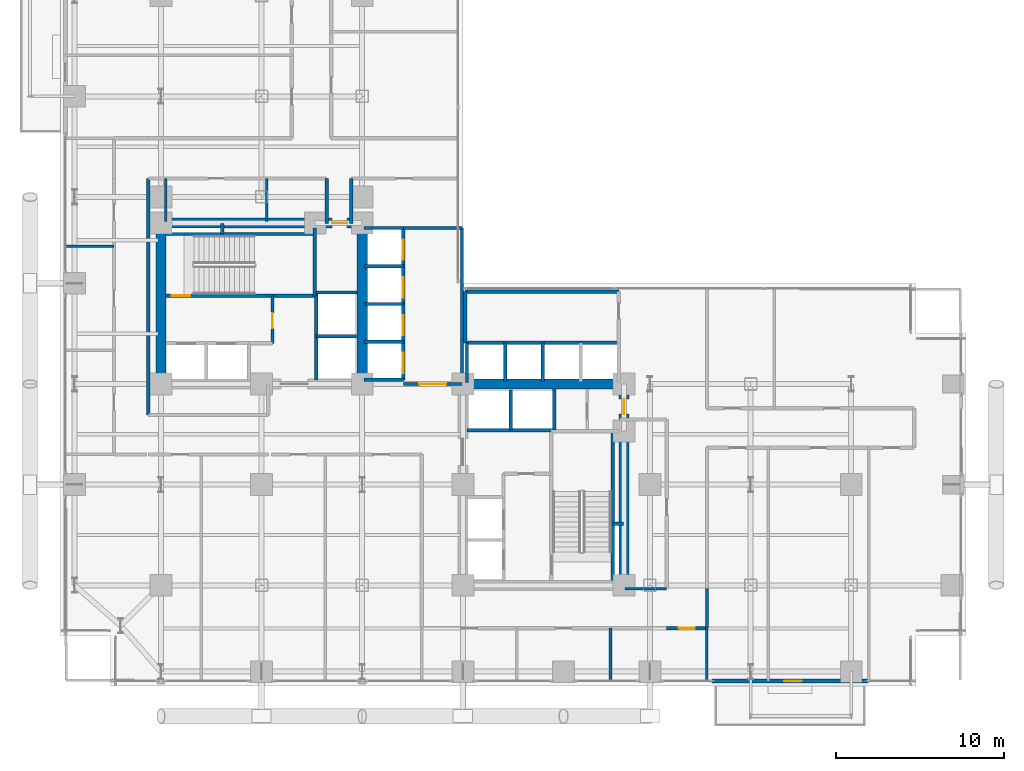
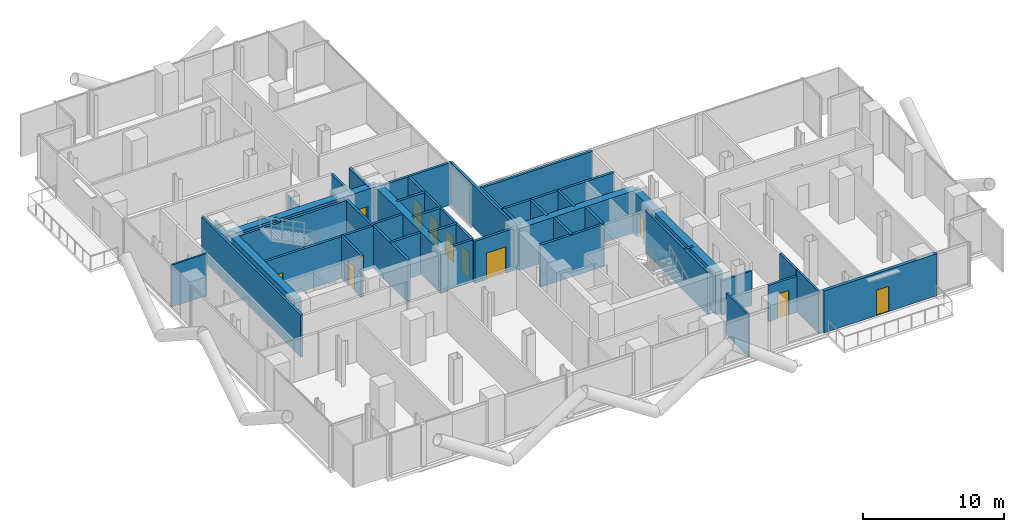
# One storey, part 22 of 27: 45 walls, 11 doors, 11 openings.
"""IFC4 building model written with IfcOpenShell, lengths in metres."""

from ifc_helpers import new_model, si_unit, direction, frame, frame_2d, origin, place, context, subcontext, project, spatial, rectangle, extrude, material, layer, layer_set, type_object, element, fill, save


model = new_model("IFC4")

# Units and contexts
model_context = context("Model", 3, precision=1e-05, world=origin(), true_north=direction((0.0, 1.0)))
body_context = subcontext(model_context, "Body", "Model", "MODEL_VIEW")
ifc_project = project(units=[si_unit("LENGTHUNIT", "METRE"), si_unit("AREAUNIT", "SQUARE_METRE"), si_unit("VOLUMEUNIT", "CUBIC_METRE"), si_unit("PLANEANGLEUNIT", "RADIAN"), si_unit("MASSUNIT", "GRAM", prefix="KILO"), si_unit("THERMODYNAMICTEMPERATUREUNIT", "KELVIN"), si_unit("POWERUNIT", "WATT")], contexts=[model_context])

# Site, building, storey
site_placement = place(None, origin())
site = spatial("IfcSite", under=ifc_project, at=site_placement, CompositionType="ELEMENT")
building_placement = place(site_placement, origin())
building = spatial("IfcBuilding", under=site, at=building_placement, Name="Svarakhadi Broadcast Tower", CompositionType="ELEMENT")
storey_placement = place(building_placement, frame((0.0, 0.0, 59.699951171875)))
storey = spatial("IfcBuildingStorey", under=building, at=storey_placement, Name="L13", CompositionType="ELEMENT", Elevation=59.699951171875)

# Wall, opening, door
ifc_material_1 = material(Name="Concrete C40/50 (IS 456 M50)", Category="concrete")
ifc_layer_1 = layer(ifc_material_1, 0.239990234375)
ifc_layer_set_1 = layer_set([ifc_layer_1], Name="Concrete C40/50 (IS 456 M50)")
wall_type_1 = type_object("IfcWallType", Name="Wall_Ext_240", PredefinedType="SOLIDWALL", material=ifc_layer_set_1)
wall_1_placement = place(storey_placement, frame((48.14501953125, 0.300048828125, 0.0), z_axis=(0.0, 0.0, 1.0), x_axis=(-1.0, 0.0, 0.0)))
wall_1 = element("IfcWall", 1, at=wall_1_placement, inside=storey, type_object=wall_type_1, Name="L13 South Tree Balcony Spandrel Wall", PredefinedType="SOLIDWALL", context=body_context, shape_type="SweptSolid", body=[
    extrude(rectangle(XDim=9.2900390625, YDim=0.239990234375, at=frame_2d((4.64501953125, 0.0))), origin(), (0.0, 0.0, 1.0), 3.650146484375),
])
opening_1_placement = place(wall_1_placement, frame((3.945068359375, 0.0, 0.0)))
opening_1 = element("IfcOpeningElement", 2, at=opening_1_placement, cuts=wall_1, Name="Opening ED-05", PredefinedType="OPENING", context=body_context, shape_type="SweptSolid", body=[
    extrude(rectangle(XDim=1.050048828125, YDim=2.199951171875, at=frame_2d((0.52490234375, 1.10009765625))), frame((0.0, 0.1298828125, 0.0), z_axis=(0.0, -1.0, 0.0), x_axis=(1.0, 0.0, 0.0)), (0.0, 0.0, 1.0), 0.260009765625),
])
ifc_material_2 = material(Name="Anodised Bronze Aluminium AA 6063-T6", Category="aluminium")
door_type_1 = type_object("IfcDoorType", Name="Door_Ext_ED05", OperationType="SINGLE_SWING_LEFT", PredefinedType="DOOR", material=ifc_material_2)
door_1_placement = place(opening_1_placement, origin())
door_1 = element("IfcDoor", 3, at=door_1_placement, inside=storey, type_object=door_type_1, Name="L13 South Tree Balcony Door", OperationType="SINGLE_SWING_LEFT", OverallHeight=2.199951171875, OverallWidth=1.050048828125, PredefinedType="DOOR", context=body_context, shape_type="SweptSolid", body=[
    extrude(rectangle(XDim=1.050048828125, YDim=2.199951171875, at=frame_2d((0.52490234375, 1.10009765625))), frame((0.0, 0.02490234375, 0.0), z_axis=(0.0, -1.0, 0.0), x_axis=(1.0, 0.0, 0.0)), (0.0, 0.0, 1.0), 0.050048828125),
])
fill(opening_1, door_1)

# Walls
ifc_layer_2 = layer(ifc_material_1, 0.199951171875)
ifc_layer_set_2 = layer_set([ifc_layer_2], Name="Concrete C40/50 (IS 456 M50)")
wall_type_2 = type_object("IfcWallType", Name="Wall_Fire_200", PredefinedType="SOLIDWALL", material=ifc_layer_set_2)
for number, where, z_axis, x_axis, name in (
    (4, (9.659912109375, 26.93994140625, 0.0), (0.0, 0.0, 1.0), (0.0, 1.0, 0.0), "L13 Wet Riser Shaft East Wall"),
    (5, (32.93994140625, 9.659912109375, 0.0), (0.0, 0.0, 1.0), (1.0, 0.0, 0.0), "L13 HV Busduct Riser Shaft North Wall"),
):
    element("IfcWall", number, at=place(storey_placement, frame(where, z_axis=z_axis, x_axis=x_axis)), inside=storey, type_object=wall_type_2, Name=name, PredefinedType="SOLIDWALL", context=body_context, shape_type="SweptSolid", body=[
        extrude(rectangle(XDim=0.64013671875, YDim=0.199951171875, at=frame_2d((0.320068359375, 0.0))), origin(), (0.0, 0.0, 1.0), 3.650146484375),
    ])
wall_2_placement = place(storey_placement, frame((38.550048828125, 5.800048828125, 0.0), z_axis=(0.0, 0.0, 1.0), x_axis=(0.0, -1.0, 0.0)))
element("IfcWall", 6, at=wall_2_placement, inside=storey, type_object=wall_type_2, Name="L13 Broadcast Corridor Wall", PredefinedType="SOLIDWALL", context=body_context, shape_type="SweptSolid", body=[
    extrude(rectangle(XDim=2.35009765625, YDim=0.199951171875, at=frame_2d((1.175048828125, 0.0))), origin(), (0.0, 0.0, 1.0), 3.650146484375),
])

# Wall, opening, door
wall_3_placement = place(storey_placement, frame((38.550048828125, 3.449951171875, 0.0), z_axis=(0.0, 0.0, 1.0), x_axis=(-1.0, 0.0, 0.0)))
wall_3 = element("IfcWall", 7, at=wall_3_placement, inside=storey, type_object=wall_type_2, Name="L13 Broadcast Corridor Wall", PredefinedType="SOLIDWALL", context=body_context, shape_type="SweptSolid", body=[
    extrude(rectangle(XDim=2.400146484375, YDim=0.199951171875, at=frame_2d((1.2001953125, 0.0))), origin(), (0.0, 0.0, 1.0), 3.14208984375),
])
opening_2_placement = place(wall_3_placement, frame((0.72509765625, 0.0, 0.0)))
opening_2 = element("IfcOpeningElement", 8, at=opening_2_placement, cuts=wall_3, Name="Opening D-07", PredefinedType="OPENING", context=body_context, shape_type="SweptSolid", body=[
    extrude(rectangle(XDim=0.949951171875, YDim=2.14990234375, at=frame_2d((0.47509765625, 1.074951171875))), frame((0.0, 0.10986328125, 0.0), z_axis=(0.0, -1.0, 0.0), x_axis=(1.0, 0.0, 0.0)), (0.0, 0.0, 1.0), 0.219970703125),
])
ifc_material_3 = material(Name="Solid-Core Teak Veneer Acoustic Timber Leaf", Category="wood")
door_type_2 = type_object("IfcDoorType", Name="Door_Office_D07", OperationType="SINGLE_SWING_RIGHT", PredefinedType="DOOR", material=ifc_material_3)
door_2_placement = place(opening_2_placement, origin())
door_2 = element("IfcDoor", 9, at=door_2_placement, inside=storey, type_object=door_type_2, Name="L13 Broadcast Staff Refreshment Pantry Door", OperationType="SINGLE_SWING_RIGHT", OverallHeight=2.14990234375, OverallWidth=0.949951171875, PredefinedType="DOOR", context=body_context, shape_type="SweptSolid", body=[
    extrude(rectangle(XDim=0.949951171875, YDim=2.14990234375, at=frame_2d((0.47509765625, 1.074951171875))), frame((0.0, 0.02490234375, 0.0), z_axis=(0.0, -1.0, 0.0), x_axis=(1.0, 0.0, 0.0)), (0.0, 0.0, 1.0), 0.050048828125),
])
fill(opening_2, door_2)

# Walls
for number, where, z_axis, x_axis, name in (
    (10, (17.35009765625, 30.25, 0.0), (0.0, 0.0, 1.0), (0.0, -1.0, 0.0), "L13 Broadcast Corridor Wall"),
    (11, (15.8798828125, 27.580078125, 0.0), (0.0, 0.0, 1.0), (0.0, 1.0, 0.0), "L13 Broadcast Corridor Wall"),
):
    element("IfcWall", number, at=place(storey_placement, frame(where, z_axis=z_axis, x_axis=x_axis)), inside=storey, type_object=wall_type_2, Name=name, PredefinedType="SOLIDWALL", context=body_context, shape_type="SweptSolid", body=[
        extrude(rectangle(XDim=2.669921875, YDim=0.199951171875, at=frame_2d((1.3349609375, 0.0))), origin(), (0.0, 0.0, 1.0), 3.650146484375),
    ])
wall_4_placement = place(storey_placement, frame((5.25, 30.25, 0.0), z_axis=(0.0, 0.0, 1.0), x_axis=(0.0, -1.0, 0.0)))
element("IfcWall", 12, at=wall_4_placement, inside=storey, type_object=wall_type_2, Name="L13 Broadcast Corridor Wall", PredefinedType="SOLIDWALL", context=body_context, shape_type="SweptSolid", body=[
    extrude(rectangle(XDim=14.10009765625, YDim=0.199951171875, at=frame_2d((7.050048828125, 0.0))), origin(), (0.0, 0.0, 1.0), 3.650146484375),
])
ifc_material_4 = material(Name="Autoclaved Aerated Concrete Blockwork 150 mm", Category="masonry")
ifc_layer_3 = layer(ifc_material_4, 0.14990234375)
ifc_layer_set_3 = layer_set([ifc_layer_3], Name="Autoclaved Aerated Concrete Blockwork 150 mm")
wall_type_3 = type_object("IfcWallType", Name="Wall_Part_150", PredefinedType="PARTITIONING", material=ifc_layer_set_3)
for number, where, z_axis, x_axis, name in (
    (13, (6.300048828125, 27.679931640625, 0.0), (0.0, 0.0, 1.0), (0.0, 1.0, 0.0), "L13 Accessible Toilet WC Wall"),
    (14, (12.300048828125, 27.679931640625, 0.0), (0.0, 0.0, 1.0), (0.0, 1.0, 0.0), "L13 Accessible Toilet WC Wall"),
):
    element("IfcWall", number, at=place(storey_placement, frame(where, z_axis=z_axis, x_axis=x_axis)), inside=storey, type_object=wall_type_3, Name=name, PredefinedType="PARTITIONING", context=body_context, shape_type="SweptSolid", body=[
        extrude(rectangle(XDim=2.570068359375, YDim=0.14990234375, at=frame_2d((1.28515625, 0.0))), origin(), (0.0, 0.0, 1.0), 2.991943359375),
    ])
wall_5_placement = place(storey_placement, frame((0.300048828125, 26.199951171875, 0.0), z_axis=(0.0, 0.0, 1.0), x_axis=(1.0, 0.0, 0.0)))
element("IfcWall", 15, at=wall_5_placement, inside=storey, type_object=wall_type_3, Name="L13 Live Translation Studio Wall", PredefinedType="PARTITIONING", context=body_context, shape_type="SweptSolid", body=[
    extrude(rectangle(XDim=2.89990234375, YDim=0.14990234375, at=frame_2d((1.449951171875, 0.0))), origin(), (0.0, 0.0, 1.0), 3.650146484375),
])
for number, where, z_axis, x_axis, name in (
    (16, (32.800048828125, 0.300048828125, 0.0), (0.0, 0.0, 1.0), (0.0, 1.0, 0.0), "L13 Media Legal Review Office Wall"),
    (17, (38.550048828125, 0.300048828125, 0.0), (0.0, 0.0, 1.0), (0.0, 1.0, 0.0), "L13 Broadcast Staff Refreshment Pantry Wall"),
):
    element("IfcWall", number, at=place(storey_placement, frame(where, z_axis=z_axis, x_axis=x_axis)), inside=storey, type_object=wall_type_3, Name=name, PredefinedType="PARTITIONING", context=body_context, shape_type="SweptSolid", body=[
        extrude(rectangle(XDim=3.14990234375, YDim=0.14990234375, at=frame_2d((1.574951171875, 0.0))), origin(), (0.0, 0.0, 1.0), 3.650146484375),
    ])
wall_6_placement = place(storey_placement, frame((33.64990234375, 5.800048828125, 0.0), z_axis=(0.0, 0.0, 1.0), x_axis=(1.0, 0.0, 0.0)))
element("IfcWall", 18, at=wall_6_placement, inside=storey, type_object=wall_type_3, Name="L13 Live Feed Monitoring Studio Wall", PredefinedType="PARTITIONING", context=body_context, shape_type="SweptSolid", body=[
    extrude(rectangle(XDim=2.5, YDim=0.14990234375, at=frame_2d((1.25, 0.0))), origin(), (0.0, 0.0, 1.0), 2.991943359375),
])

# Wall, opening, door
ifc_material_5 = material(Name="Concrete C50/60 (IS 456 M60)", Category="concrete")
ifc_layer_4 = layer(ifc_material_5, 0.199951171875)
ifc_layer_set_4 = layer_set([ifc_layer_4], Name="Concrete C50/60 (IS 456 M60)")
wall_type_4 = type_object("IfcWallType", Name="Wall_Shear_200", PredefinedType="SHEAR", material=ifc_layer_set_4)
wall_7_placement = place(storey_placement, frame((6.300048828125, 23.260009765625, 0.0), z_axis=(0.0, 0.0, 1.0), x_axis=(1.0, 0.0, 0.0)))
wall_7 = element("IfcWall", 19, at=wall_7_placement, inside=storey, type_object=wall_type_4, Name="L13 Stair ST-01 South RC Shaft Wall", PredefinedType="SHEAR", context=body_context, shape_type="SweptSolid", body=[
    extrude(rectangle(XDim=8.8798828125, YDim=0.199951171875, at=frame_2d((4.43994140625, 0.0))), origin(), (0.0, 0.0, 1.0), 3.650146484375),
])
opening_3_placement = place(wall_7_placement, frame((0.35009765625, 0.0, 0.0)))
opening_3 = element("IfcOpeningElement", 20, at=opening_3_placement, cuts=wall_7, Name="Opening D-01", PredefinedType="OPENING", context=body_context, shape_type="SweptSolid", body=[
    extrude(rectangle(XDim=1.10009765625, YDim=2.199951171875, at=frame_2d((0.550048828125, 1.10009765625))), frame((0.0, 0.10986328125, 0.0), z_axis=(0.0, -1.0, 0.0), x_axis=(1.0, 0.0, 0.0)), (0.0, 0.0, 1.0), 0.219970703125),
])
ifc_material_6 = material(Name="Galvanised Powder-Coated Fire-Rated Steel Leaf", Category="steel")
door_type_3 = type_object("IfcDoorType", Name="Door_Stair_D01", OperationType="SINGLE_SWING_LEFT", PredefinedType="DOOR", material=ifc_material_6)
door_3_placement = place(opening_3_placement, origin())
door_3 = element("IfcDoor", 21, at=door_3_placement, inside=storey, type_object=door_type_3, Name="L13 Protected Exit Stair ST-01 Fire Door", OperationType="SINGLE_SWING_LEFT", OverallHeight=2.199951171875, OverallWidth=1.10009765625, PredefinedType="DOOR", context=body_context, shape_type="SweptSolid", body=[
    extrude(rectangle(XDim=1.10009765625, YDim=2.199951171875, at=frame_2d((0.550048828125, 1.10009765625))), frame((0.0, 0.02490234375, 0.0), z_axis=(0.0, -1.0, 0.0), x_axis=(1.0, 0.0, 0.0)), (0.0, 0.0, 1.0), 0.050048828125),
])
fill(opening_3, door_3)

# Walls
wall_8_placement = place(storey_placement, frame((6.300048828125, 26.93994140625, 0.0), z_axis=(0.0, 0.0, 1.0), x_axis=(1.0, 0.0, 0.0)))
element("IfcWall", 22, at=wall_8_placement, inside=storey, type_object=wall_type_4, Name="L13 Stair ST-01 North RC Shaft Wall", PredefinedType="SHEAR", context=body_context, shape_type="SweptSolid", body=[
    extrude(rectangle(XDim=8.8798828125, YDim=0.199951171875, at=frame_2d((4.43994140625, 0.0))), origin(), (0.0, 0.0, 1.0), 3.650146484375),
])
wall_9_placement = place(storey_placement, frame((15.179931640625, 23.260009765625, 0.0), z_axis=(0.0, 0.0, 1.0), x_axis=(0.0, 1.0, 0.0)))
element("IfcWall", 23, at=wall_9_placement, inside=storey, type_object=wall_type_4, Name="L13 Stair ST-01 East RC Shaft Wall", PredefinedType="SHEAR", context=body_context, shape_type="SweptSolid", body=[
    extrude(rectangle(XDim=4.0400390625, YDim=0.199951171875, at=frame_2d((2.02001953125, 0.0))), origin(), (0.0, 0.0, 1.0), 3.650146484375),
])
wall_10_placement = place(storey_placement, frame((32.93994140625, 6.300048828125, 0.0), z_axis=(0.0, 0.0, 1.0), x_axis=(0.0, 1.0, 0.0)))
element("IfcWall", 24, at=wall_10_placement, inside=storey, type_object=wall_type_4, Name="L13 Stair ST-02 East RC Shaft Wall", PredefinedType="SHEAR", context=body_context, shape_type="SweptSolid", body=[
    extrude(rectangle(XDim=8.8798828125, YDim=0.199951171875, at=frame_2d((4.43994140625, 0.0))), origin(), (0.0, 0.0, 1.0), 3.650146484375),
])

# Wall, opening, door
wall_11_placement = place(storey_placement, frame((12.64990234375, 20.419921875, 0.0), z_axis=(0.0, 0.0, 1.0), x_axis=(0.0, 1.0, 0.0)))
wall_11 = element("IfcWall", 25, at=wall_11_placement, inside=storey, type_object=wall_type_4, Name="L13 West Firefighting Lobby East Wall", PredefinedType="SHEAR", context=body_context, shape_type="SweptSolid", body=[
    extrude(rectangle(XDim=2.840087890625, YDim=0.199951171875, at=frame_2d((1.419921875, 0.0))), origin(), (0.0, 0.0, 1.0), 3.650146484375),
])
opening_4_placement = place(wall_11_placement, frame((0.89990234375, 0.0, 0.0)))
opening_4 = element("IfcOpeningElement", 26, at=opening_4_placement, cuts=wall_11, Name="Opening D-03", PredefinedType="OPENING", context=body_context, shape_type="SweptSolid", body=[
    extrude(rectangle(XDim=0.89990234375, YDim=2.14990234375, at=frame_2d((0.449951171875, 1.074951171875))), frame((0.0, 0.10986328125, 0.0), z_axis=(0.0, -1.0, 0.0), x_axis=(1.0, 0.0, 0.0)), (0.0, 0.0, 1.0), 0.219970703125),
])
door_type_4 = type_object("IfcDoorType", Name="Door_Fire_D03", OperationType="SINGLE_SWING_LEFT", PredefinedType="DOOR", material=ifc_material_6)
door_4_placement = place(opening_4_placement, origin())
door_4 = element("IfcDoor", 27, at=door_4_placement, inside=storey, type_object=door_type_4, Name="L13 West Firefighting Lobby Fire Door", OperationType="SINGLE_SWING_LEFT", OverallHeight=2.14990234375, OverallWidth=0.89990234375, PredefinedType="DOOR", context=body_context, shape_type="SweptSolid", body=[
    extrude(rectangle(XDim=0.89990234375, YDim=2.14990234375, at=frame_2d((0.449951171875, 1.074951171875))), frame((0.0, 0.02490234375, 0.0), z_axis=(0.0, -1.0, 0.0), x_axis=(1.0, 0.0, 0.0)), (0.0, 0.0, 1.0), 0.050048828125),
])
fill(opening_4, door_4)

# Walls
wall_12_placement = place(storey_placement, frame((15.25, 18.25, 0.0), z_axis=(0.0, 0.0, 1.0), x_axis=(0.0, 1.0, 0.0)))
element("IfcWall", 28, at=wall_12_placement, inside=storey, type_object=wall_type_4, Name="L13 High-Rise Lift LF-13/14 West Shaft Wall", PredefinedType="SHEAR", context=body_context, shape_type="SweptSolid", body=[
    extrude(rectangle(XDim=5.199951171875, YDim=0.199951171875, at=frame_2d((2.60009765625, 0.0))), origin(), (0.0, 0.0, 1.0), 3.650146484375),
])
wall_13_placement = place(storey_placement, frame((15.25, 20.85009765625, 0.0), z_axis=(0.0, 0.0, 1.0), x_axis=(1.0, 0.0, 0.0)))
element("IfcWall", 29, at=wall_13_placement, inside=storey, type_object=wall_type_4, Name="L13 High-Rise Lift LF-13/14 Divider", PredefinedType="SHEAR", context=body_context, shape_type="SweptSolid", body=[
    extrude(rectangle(XDim=2.39990234375, YDim=0.199951171875, at=frame_2d((1.199951171875, 0.0))), origin(), (0.0, 0.0, 1.0), 3.650146484375),
])
wall_14_placement = place(storey_placement, frame((15.25, 23.449951171875, 0.0), z_axis=(0.0, 0.0, 1.0), x_axis=(1.0, 0.0, 0.0)))
element("IfcWall", 30, at=wall_14_placement, inside=storey, type_object=wall_type_4, Name="L13 High-Rise Lift LF-13/14 North Wall", PredefinedType="SHEAR", context=body_context, shape_type="SweptSolid", body=[
    extrude(rectangle(XDim=2.449951171875, YDim=0.199951171875, at=frame_2d((1.22509765625, 0.0))), origin(), (0.0, 0.0, 1.0), 3.650146484375),
])
wall_15_placement = place(storey_placement, frame((24.25, 15.25, 0.0), z_axis=(0.0, 0.0, 1.0), x_axis=(1.0, 0.0, 0.0)))
element("IfcWall", 31, at=wall_15_placement, inside=storey, type_object=wall_type_4, Name="L13 High-Rise Lift LF-15/16 South Shaft Wall", PredefinedType="SHEAR", context=body_context, shape_type="SweptSolid", body=[
    extrude(rectangle(XDim=5.199951171875, YDim=0.199951171875, at=frame_2d((2.60009765625, 0.0))), origin(), (0.0, 0.0, 1.0), 3.650146484375),
])
wall_16_placement = place(storey_placement, frame((26.85009765625, 15.25, 0.0), z_axis=(0.0, 0.0, 1.0), x_axis=(0.0, 1.0, 0.0)))
element("IfcWall", 32, at=wall_16_placement, inside=storey, type_object=wall_type_4, Name="L13 High-Rise Lift LF-15/16 Divider", PredefinedType="SHEAR", context=body_context, shape_type="SweptSolid", body=[
    extrude(rectangle(XDim=2.39990234375, YDim=0.199951171875, at=frame_2d((1.199951171875, 0.0))), origin(), (0.0, 0.0, 1.0), 3.650146484375),
])
wall_17_placement = place(storey_placement, frame((29.449951171875, 15.25, 0.0), z_axis=(0.0, 0.0, 1.0), x_axis=(0.0, 1.0, 0.0)))
element("IfcWall", 33, at=wall_17_placement, inside=storey, type_object=wall_type_4, Name="L13 High-Rise Lift LF-15/16 East Wall", PredefinedType="SHEAR", context=body_context, shape_type="SweptSolid", body=[
    extrude(rectangle(XDim=2.449951171875, YDim=0.199951171875, at=frame_2d((1.22509765625, 0.0))), origin(), (0.0, 0.0, 1.0), 3.650146484375),
])
for number, where, z_axis, x_axis, name in (
    (34, (18.10009765625, 27.300048828125, 0.0), (0.0, 0.0, 1.0), (1.0, 0.0, 0.0), "L13 Bank A North Shaft Wall"),
    (35, (18.10009765625, 18.25, 0.0), (0.0, 0.0, 1.0), (1.0, 0.0, 0.0), "L13 Bank A South Shaft Wall"),
):
    element("IfcWall", number, at=place(storey_placement, frame(where, z_axis=z_axis, x_axis=x_axis)), inside=storey, type_object=wall_type_4, Name=name, PredefinedType="SHEAR", context=body_context, shape_type="SweptSolid", body=[
        extrude(rectangle(XDim=2.349853515625, YDim=0.199951171875, at=frame_2d((1.1748046875, 0.0))), origin(), (0.0, 0.0, 1.0), 3.650146484375),
    ])

# Wall, openings, doors
wall_18_placement = place(storey_placement, frame((20.449951171875, 18.25, 0.0), z_axis=(0.0, 0.0, 1.0), x_axis=(0.0, 1.0, 0.0)))
wall_18 = element("IfcWall", 36, at=wall_18_placement, inside=storey, type_object=wall_type_4, Name="L13 Bank A East Landing Wall", PredefinedType="SHEAR", context=body_context, shape_type="SweptSolid", body=[
    extrude(rectangle(XDim=9.050048828125, YDim=0.199951171875, at=frame_2d((4.52490234375, 0.0))), origin(), (0.0, 0.0, 1.0), 3.650146484375),
])
opening_5_placement = place(wall_18_placement, frame((0.39990234375, 0.0, 0.0)))
opening_5 = element("IfcOpeningElement", 37, at=opening_5_placement, cuts=wall_18, Name="Opening LD-02", PredefinedType="OPENING", context=body_context, shape_type="SweptSolid", body=[
    extrude(rectangle(XDim=1.199951171875, YDim=2.199951171875, at=frame_2d((0.60009765625, 1.10009765625))), frame((0.0, 0.10986328125, 0.0), z_axis=(0.0, -1.0, 0.0), x_axis=(1.0, 0.0, 0.0)), (0.0, 0.0, 1.0), 0.219970703125),
])
opening_6_placement = place(wall_18_placement, frame((2.64990234375, 0.0, 0.0)))
opening_6 = element("IfcOpeningElement", 38, at=opening_6_placement, cuts=wall_18, Name="Opening LD-02", PredefinedType="OPENING", context=body_context, shape_type="SweptSolid", body=[
    extrude(rectangle(XDim=1.199951171875, YDim=2.199951171875, at=frame_2d((0.60009765625, 1.10009765625))), frame((0.0, 0.10986328125, 0.0), z_axis=(0.0, -1.0, 0.0), x_axis=(1.0, 0.0, 0.0)), (0.0, 0.0, 1.0), 0.219970703125),
])
opening_7_placement = place(wall_18_placement, frame((4.89990234375, 0.0, 0.0)))
opening_7 = element("IfcOpeningElement", 39, at=opening_7_placement, cuts=wall_18, Name="Opening LD-02", PredefinedType="OPENING", context=body_context, shape_type="SweptSolid", body=[
    extrude(rectangle(XDim=1.199951171875, YDim=2.199951171875, at=frame_2d((0.60009765625, 1.10009765625))), frame((0.0, 0.10986328125, 0.0), z_axis=(0.0, -1.0, 0.0), x_axis=(1.0, 0.0, 0.0)), (0.0, 0.0, 1.0), 0.219970703125),
])
opening_8_placement = place(wall_18_placement, frame((7.14990234375, 0.0, 0.0)))
opening_8 = element("IfcOpeningElement", 40, at=opening_8_placement, cuts=wall_18, Name="Opening LD-02", PredefinedType="OPENING", context=body_context, shape_type="SweptSolid", body=[
    extrude(rectangle(XDim=1.199951171875, YDim=2.199951171875, at=frame_2d((0.60009765625, 1.10009765625))), frame((0.0, 0.10986328125, 0.0), z_axis=(0.0, -1.0, 0.0), x_axis=(1.0, 0.0, 0.0)), (0.0, 0.0, 1.0), 0.219970703125),
])
door_type_5 = type_object("IfcDoorType", Name="Door_Lift_LD02", OperationType="SLIDING_TO_RIGHT", PredefinedType="DOOR", material=ifc_material_6)
door_5_placement = place(opening_5_placement, origin())
door_5 = element("IfcDoor", 41, at=door_5_placement, inside=storey, type_object=door_type_5, Name="L13 Low-Rise Lift LF-05 Landing Door", OperationType="SLIDING_TO_RIGHT", OverallHeight=2.199951171875, OverallWidth=1.199951171875, PredefinedType="DOOR", context=body_context, shape_type="SweptSolid", body=[
    extrude(rectangle(XDim=1.199951171875, YDim=2.199951171875, at=frame_2d((0.60009765625, 1.10009765625))), frame((0.0, 0.02490234375, 0.0), z_axis=(0.0, -1.0, 0.0), x_axis=(1.0, 0.0, 0.0)), (0.0, 0.0, 1.0), 0.050048828125),
])
fill(opening_5, door_5)
door_6_placement = place(opening_6_placement, origin())
door_6 = element("IfcDoor", 42, at=door_6_placement, inside=storey, type_object=door_type_5, Name="L13 Low-Rise Lift LF-06 Landing Door", OperationType="SLIDING_TO_RIGHT", OverallHeight=2.199951171875, OverallWidth=1.199951171875, PredefinedType="DOOR", context=body_context, shape_type="SweptSolid", body=[
    extrude(rectangle(XDim=1.199951171875, YDim=2.199951171875, at=frame_2d((0.60009765625, 1.10009765625))), frame((0.0, 0.02490234375, 0.0), z_axis=(0.0, -1.0, 0.0), x_axis=(1.0, 0.0, 0.0)), (0.0, 0.0, 1.0), 0.050048828125),
])
fill(opening_6, door_6)
door_7_placement = place(opening_7_placement, origin())
door_7 = element("IfcDoor", 43, at=door_7_placement, inside=storey, type_object=door_type_5, Name="L13 Low-Rise Lift LF-07 Landing Door", OperationType="SLIDING_TO_RIGHT", OverallHeight=2.199951171875, OverallWidth=1.199951171875, PredefinedType="DOOR", context=body_context, shape_type="SweptSolid", body=[
    extrude(rectangle(XDim=1.199951171875, YDim=2.199951171875, at=frame_2d((0.60009765625, 1.10009765625))), frame((0.0, 0.02490234375, 0.0), z_axis=(0.0, -1.0, 0.0), x_axis=(1.0, 0.0, 0.0)), (0.0, 0.0, 1.0), 0.050048828125),
])
fill(opening_7, door_7)
door_8_placement = place(opening_8_placement, origin())
door_8 = element("IfcDoor", 44, at=door_8_placement, inside=storey, type_object=door_type_5, Name="L13 Low-Rise Lift LF-08 Landing Door", OperationType="SLIDING_TO_RIGHT", OverallHeight=2.199951171875, OverallWidth=1.199951171875, PredefinedType="DOOR", context=body_context, shape_type="SweptSolid", body=[
    extrude(rectangle(XDim=1.199951171875, YDim=2.199951171875, at=frame_2d((0.60009765625, 1.10009765625))), frame((0.0, 0.02490234375, 0.0), z_axis=(0.0, -1.0, 0.0), x_axis=(1.0, 0.0, 0.0)), (0.0, 0.0, 1.0), 0.050048828125),
])
fill(opening_8, door_8)

# Walls
for number, where, z_axis, x_axis, name in (
    (45, (18.14990234375, 20.52001953125, 0.0), (0.0, 0.0, 1.0), (1.0, 0.0, 0.0), "L13 Bank A Divider"),
    (46, (18.14990234375, 22.77001953125, 0.0), (0.0, 0.0, 1.0), (1.0, 0.0, 0.0), "L13 Bank A Divider"),
    (47, (18.14990234375, 25.02001953125, 0.0), (0.0, 0.0, 1.0), (1.0, 0.0, 0.0), "L13 Bank A Divider"),
):
    element("IfcWall", number, at=place(storey_placement, frame(where, z_axis=z_axis, x_axis=x_axis)), inside=storey, type_object=wall_type_4, Name=name, PredefinedType="SHEAR", context=body_context, shape_type="SweptSolid", body=[
        extrude(rectangle(XDim=2.300048828125, YDim=0.199951171875, at=frame_2d((1.14990234375, 0.0))), origin(), (0.0, 0.0, 1.0), 3.650146484375),
    ])

# Wall, opening, door
wall_19_placement = place(storey_placement, frame((20.449951171875, 18.0, 0.0), z_axis=(0.0, 0.0, 1.0), x_axis=(1.0, 0.0, 0.0)))
wall_19 = element("IfcWall", 48, at=wall_19_placement, inside=storey, type_object=wall_type_4, Name="L13 Bank A Lift Hall South Wall", PredefinedType="SHEAR", context=body_context, shape_type="SweptSolid", body=[
    extrude(rectangle(XDim=3.5, YDim=0.199951171875, at=frame_2d((1.75, 0.0))), origin(), (0.0, 0.0, 1.0), 3.650146484375),
])
opening_9_placement = place(wall_19_placement, frame((0.949951171875, 0.0, 0.0)))
opening_9 = element("IfcOpeningElement", 49, at=opening_9_placement, cuts=wall_19, Name="Opening D-05", PredefinedType="OPENING", context=body_context, shape_type="SweptSolid", body=[
    extrude(rectangle(XDim=1.60009765625, YDim=2.300048828125, at=frame_2d((0.800048828125, 1.14990234375))), frame((0.0, 0.10986328125, 0.0), z_axis=(0.0, -1.0, 0.0), x_axis=(1.0, 0.0, 0.0)), (0.0, 0.0, 1.0), 0.219970703125),
])
door_type_6 = type_object("IfcDoorType", Name="Door_Lobby_D05", OperationType="DOUBLE_DOOR_SLIDING", PredefinedType="DOOR", material=ifc_material_2)
door_9_placement = place(opening_9_placement, origin())
door_9 = element("IfcDoor", 50, at=door_9_placement, inside=storey, type_object=door_type_6, Name="L13 Low-Rise Lift Hall Corridor Door", OperationType="DOUBLE_DOOR_SLIDING", OverallHeight=2.300048828125, OverallWidth=1.60009765625, PredefinedType="DOOR", context=body_context, shape_type="SweptSolid", body=[
    extrude(rectangle(XDim=1.60009765625, YDim=2.300048828125, at=frame_2d((0.800048828125, 1.14990234375))), frame((0.0, 0.02490234375, 0.0), z_axis=(0.0, -1.0, 0.0), x_axis=(1.0, 0.0, 0.0)), (0.0, 0.0, 1.0), 0.050048828125),
])
fill(opening_9, door_9)

# Walls
wall_20_placement = place(storey_placement, frame((20.449951171875, 27.300048828125, 0.0), z_axis=(0.0, 0.0, 1.0), x_axis=(1.0, 0.0, 0.0)))
element("IfcWall", 51, at=wall_20_placement, inside=storey, type_object=wall_type_4, Name="L13 Bank A Lift Hall North Wall", PredefinedType="SHEAR", context=body_context, shape_type="SweptSolid", body=[
    extrude(rectangle(XDim=3.5, YDim=0.199951171875, at=frame_2d((1.75, 0.0))), origin(), (0.0, 0.0, 1.0), 3.650146484375),
])
wall_21_placement = place(storey_placement, frame((23.949951171875, 18.0, 0.0), z_axis=(0.0, 0.0, 1.0), x_axis=(0.0, 1.0, 0.0)))
element("IfcWall", 52, at=wall_21_placement, inside=storey, type_object=wall_type_4, Name="L13 Bank A Lift Hall East Wall", PredefinedType="SHEAR", context=body_context, shape_type="SweptSolid", body=[
    extrude(rectangle(XDim=9.300048828125, YDim=0.199951171875, at=frame_2d((4.64990234375, 0.0))), origin(), (0.0, 0.0, 1.0), 3.650146484375),
])
wall_22_placement = place(storey_placement, frame((24.25, 18.10009765625, 0.0), z_axis=(0.0, 0.0, 1.0), x_axis=(0.0, 1.0, 0.0)))
element("IfcWall", 53, at=wall_22_placement, inside=storey, type_object=wall_type_4, Name="L13 Bank B West Shaft Wall", PredefinedType="SHEAR", context=body_context, shape_type="SweptSolid", body=[
    extrude(rectangle(XDim=2.349853515625, YDim=0.199951171875, at=frame_2d((1.1748046875, 0.0))), origin(), (0.0, 0.0, 1.0), 3.650146484375),
])
wall_23_placement = place(storey_placement, frame((24.25, 20.449951171875, 0.0), z_axis=(0.0, 0.0, 1.0), x_axis=(1.0, 0.0, 0.0)))
element("IfcWall", 54, at=wall_23_placement, inside=storey, type_object=wall_type_4, Name="L13 Bank B North Landing Wall", PredefinedType="SHEAR", context=body_context, shape_type="SweptSolid", body=[
    extrude(rectangle(XDim=9.050048828125, YDim=0.199951171875, at=frame_2d((4.52490234375, 0.0))), origin(), (0.0, 0.0, 1.0), 3.650146484375),
])
for number, where, z_axis, x_axis, name in (
    (55, (26.52001953125, 18.14990234375, 0.0), (0.0, 0.0, 1.0), (0.0, 1.0, 0.0), "L13 Bank B Divider"),
    (56, (28.77001953125, 18.14990234375, 0.0), (0.0, 0.0, 1.0), (0.0, 1.0, 0.0), "L13 Bank B Divider"),
):
    element("IfcWall", number, at=place(storey_placement, frame(where, z_axis=z_axis, x_axis=x_axis)), inside=storey, type_object=wall_type_4, Name=name, PredefinedType="SHEAR", context=body_context, shape_type="SweptSolid", body=[
        extrude(rectangle(XDim=2.300048828125, YDim=0.199951171875, at=frame_2d((1.14990234375, 0.0))), origin(), (0.0, 0.0, 1.0), 3.650146484375),
    ])
wall_24_placement = place(storey_placement, frame((24.14990234375, 23.5, 0.0), z_axis=(0.0, 0.0, 1.0), x_axis=(1.0, 0.0, 0.0)))
element("IfcWall", 57, at=wall_24_placement, inside=storey, type_object=wall_type_4, Name="L13 Bank B Lift Hall North Wall", PredefinedType="SHEAR", context=body_context, shape_type="SweptSolid", body=[
    extrude(rectangle(XDim=9.150146484375, YDim=0.199951171875, at=frame_2d((4.5751953125, 0.0))), origin(), (0.0, 0.0, 1.0), 3.650146484375),
])
wall_25_placement = place(storey_placement, frame((24.14990234375, 20.449951171875, 0.0), z_axis=(0.0, 0.0, 1.0), x_axis=(0.0, 1.0, 0.0)))
element("IfcWall", 58, at=wall_25_placement, inside=storey, type_object=wall_type_4, Name="L13 Bank B Lift Hall West Wall", PredefinedType="SHEAR", context=body_context, shape_type="SweptSolid", body=[
    extrude(rectangle(XDim=3.050048828125, YDim=0.199951171875, at=frame_2d((1.52490234375, 0.0))), origin(), (0.0, 0.0, 1.0), 3.650146484375),
])

# Wall, opening, door
ifc_material_7 = material(Name="Concrete C60/75 (IS 456 M70)", Category="concrete")
ifc_layer_5 = layer(ifc_material_7, 0.60009765625)
ifc_layer_set_5 = layer_set([ifc_layer_5], Name="Concrete C60/75 (IS 456 M70)")
wall_type_5 = type_object("IfcWallType", Name="Wall_Shear_600", PredefinedType="SHEAR", material=ifc_layer_set_5)
wall_26_placement = place(storey_placement, frame((6.0, 27.60009765625, 0.0), z_axis=(0.0, 0.0, 1.0), x_axis=(1.0, 0.0, 0.0)))
wall_26 = element("IfcWall", 59, at=wall_26_placement, inside=storey, type_object=wall_type_5, Name="L13 West Core North Shear Wall", PredefinedType="SHEAR", context=body_context, shape_type="SweptSolid", body=[
    extrude(rectangle(XDim=12.0, YDim=0.60009765625, at=frame_2d((6.0, 0.0))), origin(), (0.0, 0.0, 1.0), 3.650146484375),
])
opening_10_placement = place(wall_26_placement, frame((10.199951171875, 0.0, 0.0)))
opening_10 = element("IfcOpeningElement", 60, at=opening_10_placement, cuts=wall_26, Name="Opening D-04", PredefinedType="OPENING", context=body_context, shape_type="SweptSolid", body=[
    extrude(rectangle(XDim=0.89990234375, YDim=2.14990234375, at=frame_2d((0.449951171875, 1.074951171875))), frame((0.0, 0.31005859375, 0.0), z_axis=(0.0, -1.0, 0.0), x_axis=(1.0, 0.0, 0.0)), (0.0, 0.0, 1.0), 0.6201171875),
])
door_type_7 = type_object("IfcDoorType", Name="Door_Fire_D04", OperationType="SINGLE_SWING_RIGHT", PredefinedType="DOOR", material=ifc_material_6)
door_10_placement = place(opening_10_placement, origin())
door_10 = element("IfcDoor", 61, at=door_10_placement, inside=storey, type_object=door_type_7, Name="L13 Core Meter Cupboard Door", OperationType="SINGLE_SWING_RIGHT", OverallHeight=2.14990234375, OverallWidth=0.89990234375, PredefinedType="DOOR", context=body_context, shape_type="SweptSolid", body=[
    extrude(rectangle(XDim=0.89990234375, YDim=2.14990234375, at=frame_2d((0.449951171875, 1.074951171875))), frame((0.0, 0.02490234375, 0.0), z_axis=(0.0, -1.0, 0.0), x_axis=(1.0, 0.0, 0.0)), (0.0, 0.0, 1.0), 0.050048828125),
])
fill(opening_10, door_10)

# Walls
for number, where, z_axis, x_axis, name in (
    (62, (6.0, 18.0, 0.0), (0.0, 0.0, 1.0), (0.0, 1.0, 0.0), "L13 West Core West Shear Wall"),
    (63, (18.0, 18.0, 0.0), (0.0, 0.0, 1.0), (0.0, 1.0, 0.0), "L13 West Core East Shear Wall"),
    (64, (24.0, 18.0, 0.0), (0.0, 0.0, 1.0), (1.0, 0.0, 0.0), "L13 East Core North Shear Wall"),
):
    element("IfcWall", number, at=place(storey_placement, frame(where, z_axis=z_axis, x_axis=x_axis)), inside=storey, type_object=wall_type_5, Name=name, PredefinedType="SHEAR", context=body_context, shape_type="SweptSolid", body=[
        extrude(rectangle(XDim=9.60009765625, YDim=0.60009765625, at=frame_2d((4.800048828125, 0.0))), origin(), (0.0, 0.0, 1.0), 3.650146484375),
    ])

# Wall, opening, door
wall_27_placement = place(storey_placement, frame((33.60009765625, 6.0, 0.0), z_axis=(0.0, 0.0, 1.0), x_axis=(0.0, 1.0, 0.0)))
wall_27 = element("IfcWall", 65, at=wall_27_placement, inside=storey, type_object=wall_type_5, Name="L13 East Core East Shear Wall", PredefinedType="SHEAR", context=body_context, shape_type="SweptSolid", body=[
    extrude(rectangle(XDim=12.0, YDim=0.60009765625, at=frame_2d((6.0, 0.0))), origin(), (0.0, 0.0, 1.0), 3.650146484375),
])
opening_11_placement = place(wall_27_placement, frame((10.199951171875, 0.0, 0.0)))
opening_11 = element("IfcOpeningElement", 66, at=opening_11_placement, cuts=wall_27, Name="Opening D-04", PredefinedType="OPENING", context=body_context, shape_type="SweptSolid", body=[
    extrude(rectangle(XDim=0.89990234375, YDim=2.14990234375, at=frame_2d((0.449951171875, 1.074951171875))), frame((0.0, 0.31005859375, 0.0), z_axis=(0.0, -1.0, 0.0), x_axis=(1.0, 0.0, 0.0)), (0.0, 0.0, 1.0), 0.6201171875),
])
door_11_placement = place(opening_11_placement, origin())
door_11 = element("IfcDoor", 67, at=door_11_placement, inside=storey, type_object=door_type_7, Name="L13 Core Outer Service Store Door", OperationType="SINGLE_SWING_RIGHT", OverallHeight=2.14990234375, OverallWidth=0.89990234375, PredefinedType="DOOR", context=body_context, shape_type="SweptSolid", body=[
    extrude(rectangle(XDim=0.89990234375, YDim=2.14990234375, at=frame_2d((0.449951171875, 1.074951171875))), frame((0.0, 0.02490234375, 0.0), z_axis=(0.0, -1.0, 0.0), x_axis=(1.0, 0.0, 0.0)), (0.0, 0.0, 1.0), 0.050048828125),
])
fill(opening_11, door_11)

save(model, "model.ifc")
